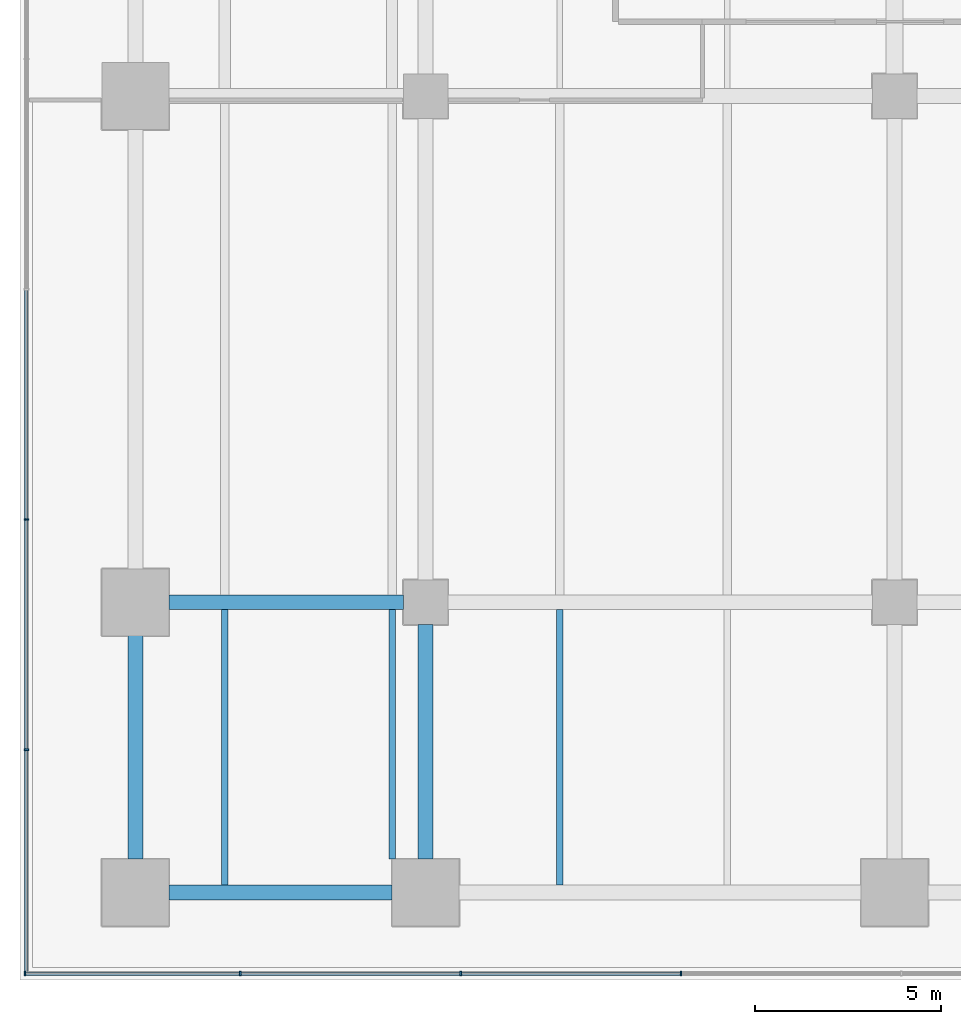
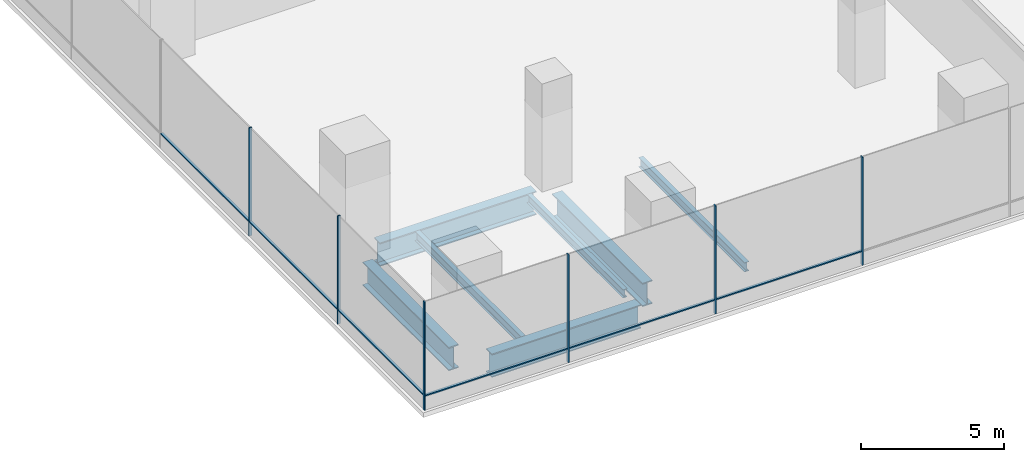
# One storey, part 2 of 28: 12 members, 7 beams, 2 elements without a shape of their own.
"""IFC4 building model written with IfcOpenShell, lengths in metres."""

import ifcopenshell
import ifcopenshell.guid

model = None  # the IFC model being written
_history = None  # IfcOwnerHistory: only IFC2X3 demands one
_inside = {}  # id of a spatial element -> (the spatial element, [elements in it])
_under = {}  # id of a project, library or spatial element -> (it, [spatial elements below it])
_declared = {}  # id of a project -> (the project, [libraries it declares])
_typed = {}  # id of a type object -> (the type object, [elements of that type])
_made_of = {}  # id of a material, layer set ... -> (it, [elements and type objects made of it])


def new_model(schema):
    """Start an empty IFC model of exactly this schema.

    Asked for "IFC4X3", IfcOpenShell would pick the latest addendum, in which some entities
    have other attributes; the version numbers below select the first issue.
    IFC2X3 requires an IfcOwnerHistory on every rooted entity: one is made here for all.
    """
    global model, _history
    if schema == "IFC4X3":
        model = ifcopenshell.file(schema_version=(4, 3, 0, 0))
    else:
        model = ifcopenshell.file(schema=schema)
    _inside.clear()
    _under.clear()
    _declared.clear()
    _typed.clear()
    _made_of.clear()
    _history = None
    if model.schema == "IFC2X3":
        org = make("IfcOrganization", Name="unknown")
        user = make(
            "IfcPersonAndOrganization",
            ThePerson=make("IfcPerson", FamilyName="unknown"),
            TheOrganization=org,
        )
        app = make(
            "IfcApplication",
            ApplicationDeveloper=org,
            Version="unknown",
            ApplicationFullName="unknown",
            ApplicationIdentifier="unknown",
        )
        _history = make(
            "IfcOwnerHistory",
            OwningUser=user,
            OwningApplication=app,
            ChangeAction="ADDED",
            CreationDate=0,
        )
    return model


def make(cls, **values):
    """One entity of the class cls with the attributes given. An attribute that is None is left unset."""
    return model.create_entity(
        cls, **{name: value for name, value in values.items() if value is not None}
    )


def rooted(cls, **values):
    """An entity with a GlobalId (a new one), such as an element, a storey or a relation."""
    return make(cls, GlobalId=ifcopenshell.guid.new(), OwnerHistory=_history, **values)


def si_unit(unit_type, name, prefix=None):
    """IfcSIUnit, for example si_unit("LENGTHUNIT", "METRE", prefix="MILLI")."""
    return make("IfcSIUnit", UnitType=unit_type, Prefix=prefix, Name=name)


def assignment(units):
    """IfcUnitAssignment: the units of a project."""
    return None if units is None else make("IfcUnitAssignment", Units=units)


def point(xyz):
    """IfcCartesianPoint."""
    return None if xyz is None else make("IfcCartesianPoint", Coordinates=xyz)


def direction(xyz):
    """IfcDirection."""
    return None if xyz is None else make("IfcDirection", DirectionRatios=xyz)


def frame(location, z_axis=None, x_axis=None):
    """IfcAxis2Placement3D, a coordinate frame: its origin and axes. An axis left out is left unset."""
    return make(
        "IfcAxis2Placement3D",
        Location=point(location),
        Axis=direction(z_axis),
        RefDirection=direction(x_axis),
    )


def frame_2d(location, x_axis=None):
    """IfcAxis2Placement2D, a coordinate frame in the plane: its origin and x axis."""
    return make(
        "IfcAxis2Placement2D", Location=point(location), RefDirection=direction(x_axis)
    )


def origin():
    """The frame at (0, 0, 0) with its axes left unset."""
    return frame((0.0, 0.0, 0.0))


def origin_2d():
    """The frame at (0, 0) in the plane with its x axis left unset."""
    return frame_2d((0.0, 0.0))


def place(relative_to, where):
    """IfcLocalPlacement: puts the frame where relative to a parent placement (None: the world)."""
    return make(
        "IfcLocalPlacement", PlacementRelTo=relative_to, RelativePlacement=where
    )


def context(
    kind, dimensions, precision=None, world=None, true_north=None, identifier=None
):
    """IfcGeometricRepresentationContext, for example the 3D "Model" context."""
    return make(
        "IfcGeometricRepresentationContext",
        ContextIdentifier=identifier,
        ContextType=kind,
        CoordinateSpaceDimension=dimensions,
        Precision=precision,
        WorldCoordinateSystem=world,
        TrueNorth=true_north,
    )


def subcontext(parent, identifier, kind, view, scale=None):
    """IfcGeometricRepresentationSubContext, for example "Body" below "Model"."""
    return make(
        "IfcGeometricRepresentationSubContext",
        ContextIdentifier=identifier,
        ContextType=kind,
        ParentContext=parent,
        TargetScale=scale,
        TargetView=view,
    )


def project(units=None, contexts=None):
    """IfcProject with its units and contexts."""
    return rooted(
        "IfcProject",
        Name="project",
        RepresentationContexts=contexts,
        UnitsInContext=assignment(units),
    )


def spatial(cls, under=None, at=None, **own):
    """A site, building, storey or space (cls), placed at a placement, below another one or the project."""
    s = rooted(cls, ObjectPlacement=at, **own)
    if under is not None:
        _under.setdefault(under.id(), (under, []))[1].append(s)
    return s


def profile(cls, at=None, kind="AREA", **sizes):
    """A parametric profile (cls). Its sizes go by their IFC names, for example OverallWidth=200.0."""
    return make(cls, ProfileType=kind, Position=at, **sizes)


def rectangle(**sizes):
    """IfcRectangleProfileDef."""
    return profile("IfcRectangleProfileDef", **sizes)


def i_section(**sizes):
    """IfcIShapeProfileDef."""
    return profile("IfcIShapeProfileDef", **sizes)


def extrude(swept, where, along, depth):
    """IfcExtrudedAreaSolid: the profile swept, set in the frame where, extruded along a direction by depth."""
    return make(
        "IfcExtrudedAreaSolid",
        SweptArea=swept,
        Position=where,
        ExtrudedDirection=direction(along),
        Depth=depth,
    )


def shape(context_of_items, identifier, shape_type, items):
    """IfcShapeRepresentation: the items that make up one representation, for example the "Body"."""
    return make(
        "IfcShapeRepresentation",
        ContextOfItems=context_of_items,
        RepresentationIdentifier=identifier,
        RepresentationType=shape_type,
        Items=items,
    )


def material(Name=None, Category=None):
    """IfcMaterial."""
    return make("IfcMaterial", Name=Name, Category=Category)


def layer(
    of_material, thickness, ventilated=None, Name=None, Category=None, Priority=None
):
    """IfcMaterialLayer: one layer of a wall or slab, of a material (None: an air gap)."""
    return make(
        "IfcMaterialLayer",
        Material=of_material,
        LayerThickness=thickness,
        IsVentilated=ventilated,
        Name=Name,
        Category=Category,
        Priority=Priority,
    )


def layer_set(layers, Name=None):
    """IfcMaterialLayerSet."""
    return make("IfcMaterialLayerSet", MaterialLayers=layers, LayerSetName=Name)


def material_profile(
    of_material, cross_section, Name=None, Category=None, Priority=None
):
    """IfcMaterialProfile: a cross section and its material."""
    return make(
        "IfcMaterialProfile",
        Name=Name,
        Material=of_material,
        Profile=cross_section,
        Priority=Priority,
        Category=Category,
    )


def profile_set(profiles, Name=None, composite=None):
    """IfcMaterialProfileSet."""
    return make(
        "IfcMaterialProfileSet",
        Name=Name,
        MaterialProfiles=profiles,
        CompositeProfile=composite,
    )


def made_of(thing, what):
    """Note that an element or type object is made of a material, layer set ...; save() writes the relation."""
    if what is not None:
        _made_of.setdefault(what.id(), (what, []))[1].append(thing)
    return thing


def type_object(cls, material=None, **own):
    """A type object (cls), such as IfcWallType, which elements share."""
    return made_of(rooted(cls, **own), material)


def element(
    cls,
    number,
    at=None,
    inside=None,
    cuts=None,
    type_object=None,
    material=None,
    context=None,
    identifier="Body",
    shape_type=None,
    held_by="IfcProductDefinitionShape",
    body=None,
    shapes=None,
    **own,
):
    """One element of the class cls, such as IfcWall. Its Tag is "e" and its number.

    at: its placement. inside: the storey or other place that contains it. cuts: it is an
    opening in that element (IfcRelVoidsElement). A single representation is given by context,
    identifier, shape_type and body (its items); several are given by shapes. held_by: the class
    of the entity that holds the representations. save() writes the other relations.
    """
    e = rooted(cls, Tag="e%d" % number, ObjectPlacement=at, **own)
    if body is not None:
        shapes = [shape(context, identifier, shape_type, body)]
    if shapes is not None:
        e.Representation = make(held_by, Representations=shapes)
    if inside is not None:
        _inside.setdefault(inside.id(), (inside, []))[1].append(e)
    if cuts is not None:
        rooted(
            "IfcRelVoidsElement", RelatingBuildingElement=cuts, RelatedOpeningElement=e
        )
    if type_object is not None:
        _typed.setdefault(type_object.id(), (type_object, []))[1].append(e)
    return made_of(e, material)


def aggregate(whole, parts):
    """IfcRelAggregates: a whole, such as a stair, and the parts it consists of."""
    return rooted("IfcRelAggregates", RelatingObject=whole, RelatedObjects=parts)


def save(model, path):
    """Write the relations noted so far, then the file.

    IfcRelAggregates (storeys below a building ...), IfcRelContainedInSpatialStructure (elements
    in a storey), IfcRelDefinesByType, IfcRelAssociatesMaterial and IfcRelDeclares: one each for
    every whole, place, type object, material and project.
    """
    for whole, parts in _under.values():
        aggregate(whole, parts)
    for where, things in _inside.values():
        rooted(
            "IfcRelContainedInSpatialStructure",
            RelatedElements=things,
            RelatingStructure=where,
        )
    for kind, things in _typed.values():
        rooted("IfcRelDefinesByType", RelatedObjects=things, RelatingType=kind)
    for what, things in _made_of.values():
        rooted("IfcRelAssociatesMaterial", RelatedObjects=things, RelatingMaterial=what)
    for by, libraries in _declared.values():
        rooted("IfcRelDeclares", RelatingContext=by, RelatedDefinitions=libraries)
    model.write(path)


model = new_model("IFC4")

# Units and contexts
model_context = context("Model", 3, precision=1e-05, world=origin(), true_north=direction((0.0, 1.0)))
body_context = subcontext(model_context, "Body", "Model", "MODEL_VIEW")
ifc_project = project(units=[si_unit("LENGTHUNIT", "METRE"), si_unit("AREAUNIT", "SQUARE_METRE"), si_unit("VOLUMEUNIT", "CUBIC_METRE"), si_unit("PLANEANGLEUNIT", "RADIAN"), si_unit("MASSUNIT", "GRAM", prefix="KILO")], contexts=[model_context])

# Site, building, storey
site_placement = place(None, origin())
site = spatial("IfcSite", under=ifc_project, at=site_placement, CompositionType="ELEMENT")
building_placement = place(site_placement, origin())
building = spatial("IfcBuilding", under=site, at=building_placement, Name="Rattan Terrace Tower", CompositionType="ELEMENT")
storey_placement = place(building_placement, frame((0.0, 0.0, 17.39990234375)))
storey = spatial("IfcBuildingStorey", under=building, at=storey_placement, Name="L03", CompositionType="ELEMENT", Elevation=17.39990234375)

# Beams
ifc_material_1 = material(Name="Steel S355", Category="steel")
ifc_material_profile_1 = material_profile(ifc_material_1, i_section(OverallWidth=0.169921875, OverallDepth=0.360107421875, WebThickness=0.008056640625, FlangeThickness=0.0126953125, FilletRadius=0.01806640625, at=origin_2d()), Name="IPE 360")
ifc_profile_set_1 = profile_set([ifc_material_profile_1], Name="Steel S355")
beam_type_1 = type_object("IfcBeamType", Name="Frame floor beam IPE 360", PredefinedType="JOIST", material=ifc_profile_set_1)
beam_placement = place(storey_placement, frame((-27.0, -34.0, -0.3798828125), z_axis=(0.0, 1.0, 0.0), x_axis=(-1.0, 0.0, 0.0)))
element("IfcBeam", 1, at=beam_placement, inside=storey, type_object=beam_type_1, Name="bm-L03-013", PredefinedType="JOIST", context=body_context, shape_type="SweptSolid", body=[
    extrude(i_section(OverallWidth=0.169921875, OverallDepth=0.360107421875, WebThickness=0.008056640625, FlangeThickness=0.0126953125, FilletRadius=0.01806640625, at=origin_2d()), origin(), (0.0, 0.0, 1.0), 6.699951171875),
])
ifc_material_2 = material(Name="Steel S355", Category="steel")
ifc_material_profile_2 = material_profile(ifc_material_2, i_section(OverallWidth=0.179931640625, OverallDepth=0.39990234375, WebThickness=0.008544921875, FlangeThickness=0.013427734375, FilletRadius=0.02099609375, at=origin_2d()), Name="IPE 400")
ifc_profile_set_2 = profile_set([ifc_material_profile_2], Name="Steel S355")
beam_type_2 = type_object("IfcBeamType", Name="Frame floor beam IPE 400", PredefinedType="JOIST", material=ifc_profile_set_2)
for number, where, z_axis, x_axis, name in (
    (2, (-31.5, -34.699951171875, -0.39990234375), (0.0, 1.0, 0.0), (-1.0, 0.0, 0.0), "bm-L03-003"),
    (3, (-22.5, -34.699951171875, -0.39990234375), (0.0, 1.0, 0.0), (-1.0, 0.0, 0.0), "bm-L03-004"),
):
    element("IfcBeam", number, at=place(storey_placement, frame(where, z_axis=z_axis, x_axis=x_axis)), inside=storey, type_object=beam_type_2, Name=name, PredefinedType="JOIST", context=body_context, shape_type="SweptSolid", body=[
        extrude(i_section(OverallWidth=0.179931640625, OverallDepth=0.39990234375, WebThickness=0.008544921875, FlangeThickness=0.013427734375, FilletRadius=0.02099609375, at=origin_2d()), origin(), (0.0, 0.0, 1.0), 7.39990234375),
    ])
ifc_material_3 = material(Name="Steel S460", Category="steel")
ifc_material_profile_3 = material_profile(ifc_material_3, i_section(OverallWidth=0.39990234375, OverallDepth=1.0, WebThickness=0.01806640625, FlangeThickness=0.044921875, at=origin_2d()), Name="PG 1000x400-18-45")
ifc_profile_set_3 = profile_set([ifc_material_profile_3], Name="Steel S460")
beam_type_3 = type_object("IfcBeamType", Name="Frame podium girder PG 1000x400-18-45", PredefinedType="USERDEFINED", material=ifc_profile_set_3)
for number, where, z_axis, x_axis, name in (
    (4, (-33.0, -34.89990234375, -0.699951171875), (1.0, 0.0, 0.0), (0.0, 1.0, 0.0), "gdr-L03-001"),
    (5, (-33.89990234375, -34.0, -0.699951171875), (0.0, 1.0, 0.0), (-1.0, 0.0, 0.0), "gdr-L03-007"),
):
    element("IfcBeam", number, at=place(storey_placement, frame(where, z_axis=z_axis, x_axis=x_axis)), inside=storey, type_object=beam_type_3, Name=name, ObjectType="PODIUM GIRDER", PredefinedType="USERDEFINED", context=body_context, shape_type="SweptSolid", body=[
        extrude(i_section(OverallWidth=0.39990234375, OverallDepth=1.0, WebThickness=0.01806640625, FlangeThickness=0.044921875, at=origin_2d()), origin(), (0.0, 0.0, 1.0), 6.0),
    ])
for number, where, z_axis, x_axis, name in (
    (6, (-26.10009765625, -34.0, -0.699951171875), (0.0, 1.0, 0.0), (-1.0, 0.0, 0.0), "gdr-L03-008"),
    (7, (-33.0, -27.10009765625, -0.699951171875), (1.0, 0.0, 0.0), (0.0, 1.0, 0.0), "gdr-L03-014"),
):
    element("IfcBeam", number, at=place(storey_placement, frame(where, z_axis=z_axis, x_axis=x_axis)), inside=storey, type_object=beam_type_3, Name=name, ObjectType="PODIUM GIRDER", PredefinedType="USERDEFINED", context=body_context, shape_type="SweptSolid", body=[
        extrude(i_section(OverallWidth=0.39990234375, OverallDepth=1.0, WebThickness=0.01806640625, FlangeThickness=0.044921875, at=origin_2d()), origin(), (0.0, 0.0, 1.0), 6.300048828125),
    ])

# Curtain wall, members
ifc_material_4 = material(Name="Aluminium and glass", Category="aluminium")
ifc_layer = layer(ifc_material_4, 0.1201171875)
ifc_layer_set = layer_set([ifc_layer], Name="Station Storefront Curtain Wall")
curtain_wall_type = type_object("IfcCurtainWallType", Name="Station Storefront Curtain Wall", PredefinedType="NOTDEFINED", material=ifc_layer_set)
curtain_wall_1_placement = place(storey_placement, origin())
curtain_wall_1 = element("IfcCurtainWall", 8, at=curtain_wall_1_placement, inside=storey, type_object=curtain_wall_type, Name="Storefront curtain wall L03-3", PredefinedType="NOTDEFINED")
ifc_material_5 = material(Name="Aluminium", Category="aluminium")
ifc_material_profile_4 = material_profile(ifc_material_5, rectangle(XDim=0.050048828125, YDim=0.1201171875, at=origin_2d()), Name="Aluminium 50x120")
ifc_profile_set_4 = profile_set([ifc_material_profile_4], Name="Aluminium")
member_type_1 = type_object("IfcMemberType", Name="Storefront CW Mullion 50x120", PredefinedType="MULLION", material=ifc_profile_set_4)
member_1_placement = place(storey_placement, frame((-36.830078125, -24.8779296875, 0.0), z_axis=(0.0, 0.0, 1.0), x_axis=(0.0, -1.0, 0.0)))
member_1 = element("IfcMember", 9, at=member_1_placement, type_object=member_type_1, Name="Mullion cwl-L03-003.7", PredefinedType="MULLION", context=body_context, shape_type="SweptSolid", body=[
    extrude(rectangle(XDim=0.050048828125, YDim=0.1201171875, at=origin_2d()), origin(), (0.0, 0.0, 1.0), 4.60009765625),
])
member_2_placement = place(storey_placement, frame((-36.830078125, -31.06591796875, 0.0), z_axis=(0.0, 0.0, 1.0), x_axis=(0.0, -1.0, 0.0)))
member_2 = element("IfcMember", 10, at=member_2_placement, type_object=member_type_1, Name="Mullion cwl-L03-003.8", PredefinedType="MULLION", context=body_context, shape_type="SweptSolid", body=[
    extrude(rectangle(XDim=0.050048828125, YDim=0.1201171875, at=origin_2d()), origin(), (0.0, 0.0, 1.0), 4.60009765625),
])

curtain_wall_2_placement = place(storey_placement, origin())
curtain_wall_2 = element("IfcCurtainWall", 11, at=curtain_wall_2_placement, inside=storey, type_object=curtain_wall_type, Name="Storefront curtain wall L03-4", PredefinedType="NOTDEFINED")
member_3_placement = place(storey_placement, frame((-36.864990234375, -37.080078125, 0.0), z_axis=(0.0, 0.0, 1.0), x_axis=(1.0, 0.0, 0.0)))
member_3 = element("IfcMember", 12, at=member_3_placement, type_object=member_type_1, Name="Mullion cwl-L03-004.1", PredefinedType="MULLION", context=body_context, shape_type="SweptSolid", body=[
    extrude(rectangle(XDim=0.050048828125, YDim=0.1201171875, at=origin_2d()), origin(), (0.0, 0.0, 1.0), 4.60009765625),
])
member_4_placement = place(storey_placement, frame((-31.080078125, -37.080078125, 0.0), z_axis=(0.0, 0.0, 1.0), x_axis=(1.0, 0.0, 0.0)))
member_4 = element("IfcMember", 13, at=member_4_placement, type_object=member_type_1, Name="Mullion cwl-L03-004.2", PredefinedType="MULLION", context=body_context, shape_type="SweptSolid", body=[
    extrude(rectangle(XDim=0.050048828125, YDim=0.1201171875, at=origin_2d()), origin(), (0.0, 0.0, 1.0), 4.60009765625),
])
member_5_placement = place(storey_placement, frame((-25.159912109375, -37.080078125, 0.0), z_axis=(0.0, 0.0, 1.0), x_axis=(1.0, 0.0, 0.0)))
member_5 = element("IfcMember", 14, at=member_5_placement, type_object=member_type_1, Name="Mullion cwl-L03-004.3", PredefinedType="MULLION", context=body_context, shape_type="SweptSolid", body=[
    extrude(rectangle(XDim=0.050048828125, YDim=0.1201171875, at=origin_2d()), origin(), (0.0, 0.0, 1.0), 4.60009765625),
])
member_6_placement = place(storey_placement, frame((-19.239990234375, -37.080078125, 0.0), z_axis=(0.0, 0.0, 1.0), x_axis=(1.0, 0.0, 0.0)))
member_6 = element("IfcMember", 15, at=member_6_placement, type_object=member_type_1, Name="Mullion cwl-L03-004.4", PredefinedType="MULLION", context=body_context, shape_type="SweptSolid", body=[
    extrude(rectangle(XDim=0.050048828125, YDim=0.1201171875, at=origin_2d()), origin(), (0.0, 0.0, 1.0), 4.60009765625),
])

# Member
ifc_material_6 = material(Name="Aluminium", Category="aluminium")
ifc_material_profile_5 = material_profile(ifc_material_6, rectangle(XDim=0.10009765625, YDim=0.050048828125, at=origin_2d()), Name="Aluminium 100x50")
ifc_profile_set_5 = profile_set([ifc_material_profile_5], Name="Aluminium")
member_type_2 = type_object("IfcMemberType", Name="Storefront CW Transom 100x50", PredefinedType="USERDEFINED", material=ifc_profile_set_5)
member_7_placement = place(storey_placement, frame((-36.830078125, -18.715087890625, 0.60009765625), z_axis=(0.0, -1.0, 0.0), x_axis=(1.0, 0.0, 0.0)))
member_7 = element("IfcMember", 16, at=member_7_placement, type_object=member_type_2, Name="Transom cwl-L03-003.6", ObjectType="TRANSOM", PredefinedType="USERDEFINED", context=body_context, shape_type="SweptSolid", body=[
    extrude(rectangle(XDim=0.10009765625, YDim=0.050048828125, at=origin_2d()), origin(), (0.0, 0.0, 1.0), 6.137939453125),
])

member_8_placement = place(storey_placement, frame((-36.830078125, -24.903076171875, 0.60009765625), z_axis=(0.0, -1.0, 0.0), x_axis=(1.0, 0.0, 0.0)))
member_8 = element("IfcMember", 17, at=member_8_placement, type_object=member_type_2, Name="Transom cwl-L03-003.7", ObjectType="TRANSOM", PredefinedType="USERDEFINED", context=body_context, shape_type="SweptSolid", body=[
    extrude(rectangle(XDim=0.10009765625, YDim=0.050048828125, at=origin_2d()), origin(), (0.0, 0.0, 1.0), 6.137939453125),
])

member_9_placement = place(storey_placement, frame((-36.830078125, -31.091064453125, 0.60009765625), z_axis=(0.0, -1.0, 0.0), x_axis=(1.0, 0.0, 0.0)))
member_9 = element("IfcMember", 18, at=member_9_placement, type_object=member_type_2, Name="Transom cwl-L03-003.8", ObjectType="TRANSOM", PredefinedType="USERDEFINED", context=body_context, shape_type="SweptSolid", body=[
    extrude(rectangle(XDim=0.10009765625, YDim=0.050048828125, at=origin_2d()), origin(), (0.0, 0.0, 1.0), 5.928955078125),
])

aggregate(curtain_wall_1, [member_1, member_2, member_7, member_8, member_9])

member_10_placement = place(storey_placement, frame((-36.840087890625, -37.080078125, 0.60009765625), z_axis=(1.0, 0.0, 0.0), x_axis=(0.0, 1.0, 0.0)))
member_10 = element("IfcMember", 19, at=member_10_placement, type_object=member_type_2, Name="Transom cwl-L03-004.1", ObjectType="TRANSOM", PredefinedType="USERDEFINED", context=body_context, shape_type="SweptSolid", body=[
    extrude(rectangle(XDim=0.10009765625, YDim=0.050048828125, at=origin_2d()), origin(), (0.0, 0.0, 1.0), 5.735107421875),
])

member_11_placement = place(storey_placement, frame((-31.054931640625, -37.080078125, 0.60009765625), z_axis=(1.0, 0.0, 0.0), x_axis=(0.0, 1.0, 0.0)))
member_11 = element("IfcMember", 20, at=member_11_placement, type_object=member_type_2, Name="Transom cwl-L03-004.2", ObjectType="TRANSOM", PredefinedType="USERDEFINED", context=body_context, shape_type="SweptSolid", body=[
    extrude(rectangle(XDim=0.10009765625, YDim=0.050048828125, at=origin_2d()), origin(), (0.0, 0.0, 1.0), 5.869873046875),
])

member_12_placement = place(storey_placement, frame((-25.135009765625, -37.080078125, 0.60009765625), z_axis=(1.0, 0.0, 0.0), x_axis=(0.0, 1.0, 0.0)))
member_12 = element("IfcMember", 21, at=member_12_placement, type_object=member_type_2, Name="Transom cwl-L03-004.3", ObjectType="TRANSOM", PredefinedType="USERDEFINED", context=body_context, shape_type="SweptSolid", body=[
    extrude(rectangle(XDim=0.10009765625, YDim=0.050048828125, at=origin_2d()), origin(), (0.0, 0.0, 1.0), 5.8701171875),
])

aggregate(curtain_wall_2, [member_3, member_4, member_5, member_6, member_10, member_11, member_12])

save(model, "model.ifc")
